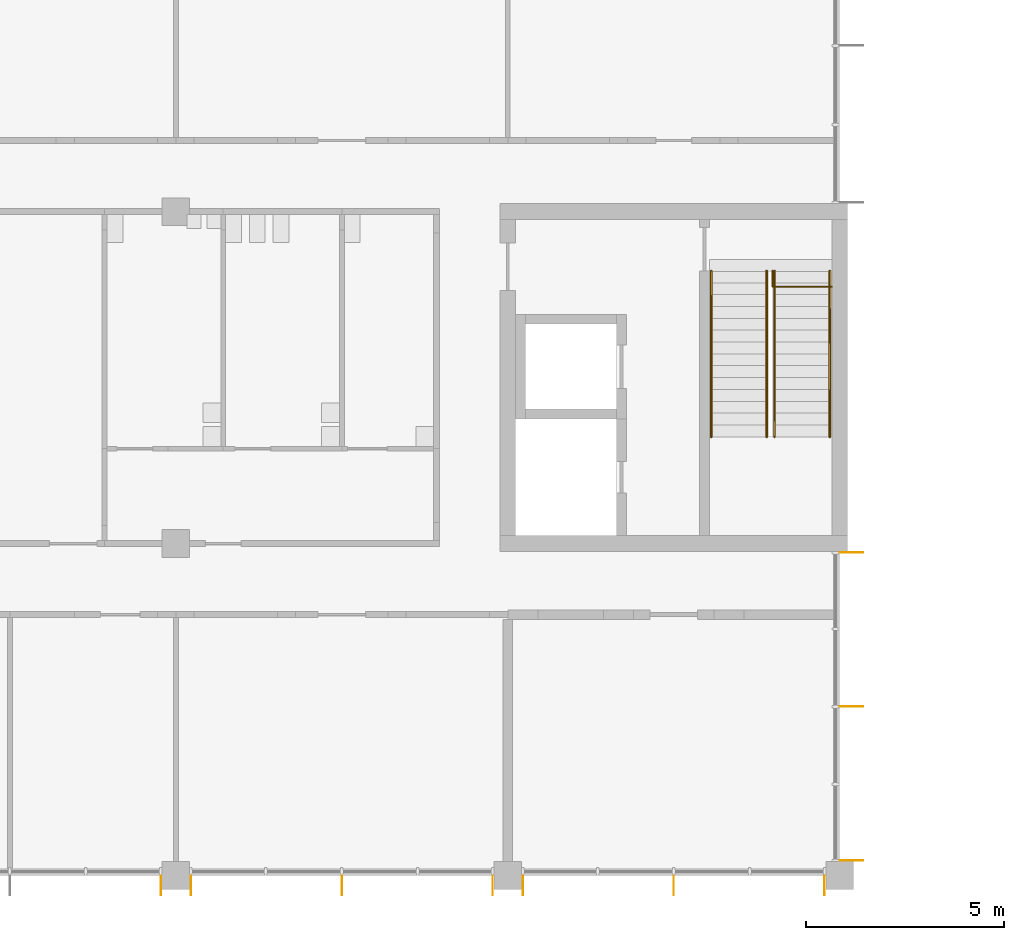
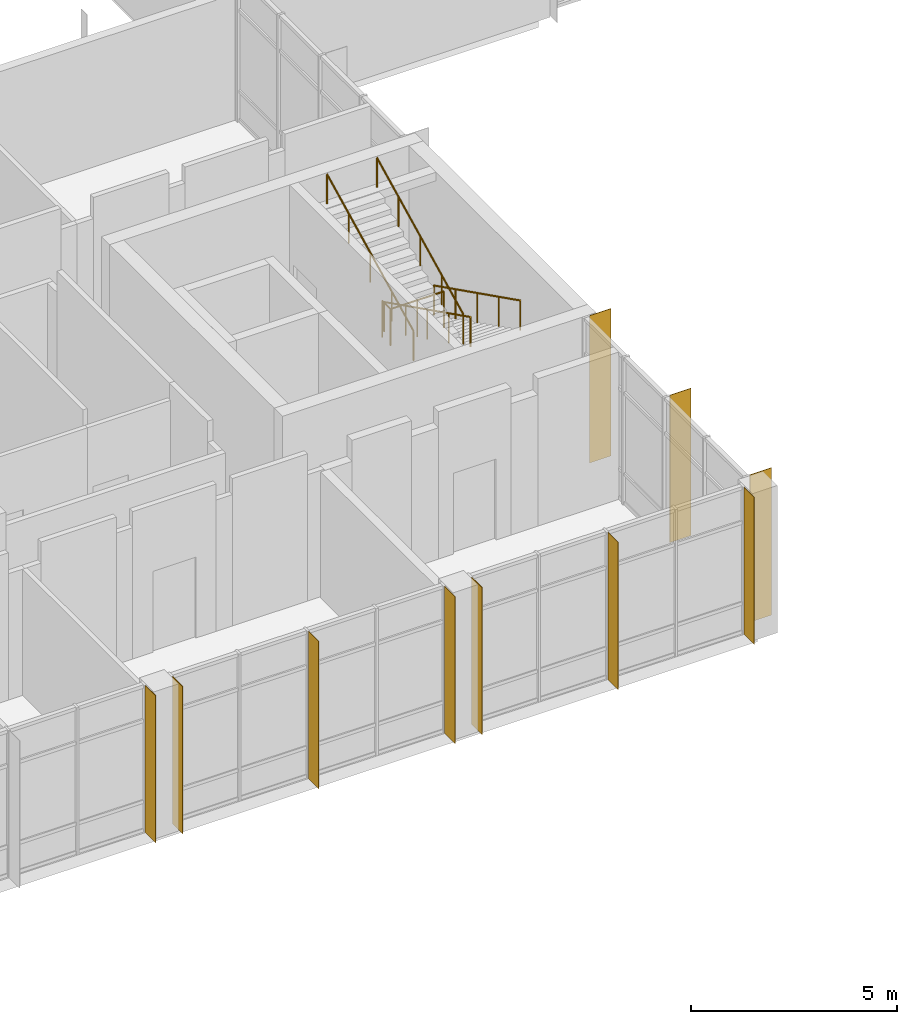
# One storey, part 57 of 70: 10 shading devices, 5 railings.
"""IFC4 building model written with IfcOpenShell, lengths in metres."""

from ifc_helpers import new_model, si_unit, direction, frame, origin, origin_2d, place, context, subcontext, project, spatial, rectangle, circle, extrude, material, layer, layer_set, type_object, element, save


model = new_model("IFC4")

# Units and contexts
model_context = context("Model", 3, precision=1e-05, world=origin(), true_north=direction((0.0, 1.0)))
body_context = subcontext(model_context, "Body", "Model", "MODEL_VIEW")
ifc_project = project(units=[si_unit("LENGTHUNIT", "METRE"), si_unit("AREAUNIT", "SQUARE_METRE"), si_unit("VOLUMEUNIT", "CUBIC_METRE"), si_unit("PLANEANGLEUNIT", "RADIAN"), si_unit("MASSUNIT", "GRAM", prefix="KILO")], contexts=[model_context])

# Site, building, storey
site_placement = place(None, origin())
site = spatial("IfcSite", under=ifc_project, at=site_placement, CompositionType="ELEMENT")
building_placement = place(site_placement, origin())
building = spatial("IfcBuilding", under=site, at=building_placement, Name="Hlaing Beacon Police Headquarters", CompositionType="ELEMENT")
storey_placement = place(building_placement, frame((0.0, 0.0, 5.39990234375)))
storey = spatial("IfcBuildingStorey", under=building, at=storey_placement, Name="L01", CompositionType="ELEMENT", Elevation=5.39990234375)

# Shading devices
ifc_material_1 = material(Name="Aluminium 6063-T5 anodised", Category="aluminium")
ifc_layer_1 = layer(ifc_material_1, 0.011962890625)
ifc_layer_set_1 = layer_set([ifc_layer_1], Name="Aluminium 6063-T5 anodised")
shading_device_type_1 = type_object("IfcShadingDeviceType", Name="Aluminium fin 12x500", PredefinedType="JALOUSIE", material=ifc_layer_set_1)
for number, where, z_axis, x_axis, name in (
    (1, (41.6201171875, 8.14990234375, 0.0), (0.0, 0.0, 1.0), (1.0, 0.0, 0.0), "Fin L01 S014.4"),
    (2, (42.3798828125, 8.14990234375, 0.0), (0.0, 0.0, 1.0), (1.0, 0.0, 0.0), "Fin L01 S015.0"),
    (3, (46.199951171875, 8.14990234375, 0.0), (0.0, 0.0, 1.0), (1.0, 0.0, 0.0), "Fin L01 S015.2"),
    (4, (50.02001953125, 8.14990234375, 0.0), (0.0, 0.0, 1.0), (1.0, 0.0, 0.0), "Fin L01 S015.4"),
    (5, (50.780029296875, 8.14990234375, 0.0), (0.0, 0.0, 1.0), (1.0, 0.0, 0.0), "Fin L01 S016.0"),
    (6, (54.60009765625, 8.14990234375, 0.0), (0.0, 0.0, 1.0), (1.0, 0.0, 0.0), "Fin L01 S016.2"),
    (7, (58.419921875, 8.14990234375, 0.0), (0.0, 0.0, 1.0), (1.0, 0.0, 0.0), "Fin L01 S016.4"),
):
    element("IfcShadingDevice", number, at=place(storey_placement, frame(where, z_axis=z_axis, x_axis=x_axis)), inside=storey, type_object=shading_device_type_1, Name=name, PredefinedType="JALOUSIE", context=body_context, shape_type="SweptSolid", body=[
        extrude(rectangle(XDim=0.011962890625, YDim=0.5, at=origin_2d()), origin(), (0.0, 0.0, 1.0), 4.3701171875),
    ])
ifc_material_2 = material(Name="Aluminium 6063-T5 anodised", Category="aluminium")
ifc_layer_2 = layer(ifc_material_2, 0.011962890625)
ifc_layer_set_2 = layer_set([ifc_layer_2], Name="Aluminium 6063-T5 anodised")
shading_device_type_2 = type_object("IfcShadingDeviceType", Name="Aluminium fin 12x600", PredefinedType="JALOUSIE", material=ifc_layer_set_2)
for number, where, z_axis, x_axis, name in (
    (8, (59.10009765625, 8.780029296875, 0.0), (0.0, 0.0, 1.0), (0.0, 1.0, 0.0), "Fin L01 E017.0"),
    (9, (59.10009765625, 12.675048828125, 0.0), (0.0, 0.0, 1.0), (0.0, 1.0, 0.0), "Fin L01 E017.2"),
    (10, (59.10009765625, 16.570068359375, 0.0), (0.0, 0.0, 1.0), (0.0, 1.0, 0.0), "Fin L01 E017.4"),
):
    element("IfcShadingDevice", number, at=place(storey_placement, frame(where, z_axis=z_axis, x_axis=x_axis)), inside=storey, type_object=shading_device_type_2, Name=name, PredefinedType="JALOUSIE", context=body_context, shape_type="SweptSolid", body=[
        extrude(rectangle(XDim=0.011962890625, YDim=0.60009765625, at=origin_2d()), origin(), (0.0, 0.0, 1.0), 4.3701171875),
    ])

# Railings
ifc_material_3 = material(Name="Stainless steel", Category="steel")
railing_type_1 = type_object("IfcRailingType", Name="Stair guard 1100", PredefinedType="GUARDRAIL", material=ifc_material_3)
railing_placement = place(storey_placement, frame((58.60009765625, 23.300048828125, 0.0)))
element("IfcRailing", 11, at=railing_placement, inside=storey, type_object=railing_type_1, Name="Guard ST-K", PredefinedType="GUARDRAIL", context=body_context, shape_type="SweptSolid", body=[
    extrude(circle(Radius=0.02392578125, at=origin_2d()), frame((0.0, 0.0, 1.076171875), z_axis=(-1.0, 0.0, 0.0), x_axis=(0.0, -1.0, 0.0)), (0.0, 0.0, 1.0), 1.5),
    extrude(circle(Radius=0.02392578125, at=origin_2d()), frame((-1.5, 0.0, 1.076171875), z_axis=(0.0, 1.0, 0.0), x_axis=(-1.0, 0.0, 0.0)), (0.0, 0.0, 1.0), 0.39990234375),
    extrude(circle(Radius=0.02099609375, at=origin_2d()), origin(), (0.0, 0.0, 1.0), 1.052001953125),
    extrude(circle(Radius=0.02099609375, at=origin_2d()), frame((-0.75, 0.0, 0.0)), (0.0, 0.0, 1.0), 1.052001953125),
    extrude(circle(Radius=0.02099609375, at=origin_2d()), frame((-1.5, 0.0, 0.0)), (0.0, 0.0, 1.0), 1.052001953125),
    extrude(circle(Radius=0.02099609375, at=origin_2d()), frame((-1.5, 0.39990234375, 0.0)), (0.0, 0.0, 1.0), 1.052001953125),
])
ifc_material_4 = material(Name="Stainless steel", Category="steel")
railing_type_2 = type_object("IfcRailingType", Name="Stair handrail 900", PredefinedType="HANDRAIL", material=ifc_material_4)
for number, where, name in (
    (12, (58.550048828125, 23.699951171875, 0.150146484375), "Handrail ST-K"),
    (13, (57.14990234375, 23.699951171875, 0.150146484375), "Handrail ST-K"),
):
    element("IfcRailing", number, at=place(storey_placement, frame(where)), inside=storey, type_object=railing_type_2, Name=name, PredefinedType="HANDRAIL", context=body_context, shape_type="SweptSolid", body=[
        extrude(circle(Radius=0.02392578125, at=origin_2d()), frame((0.0, 0.0, 0.8759765625), z_axis=(0.0, -0.894437589381, 0.447192798132), x_axis=(1.0, 0.0, 0.0)), (0.0, 0.0, 1.0), 4.695556640625),
        extrude(circle(Radius=0.02099609375, at=origin_2d()), origin(), (0.0, 0.0, 1.0), 0.851806640625),
        extrude(circle(Radius=0.02099609375, at=origin_2d()), frame((0.0, -1.050048828125, 0.52490234375)), (0.0, 0.0, 1.0), 0.851806640625),
        extrude(circle(Radius=0.02099609375, at=origin_2d()), frame((0.0, -2.10009765625, 1.0498046875)), (0.0, 0.0, 1.0), 0.851806640625),
        extrude(circle(Radius=0.02099609375, at=origin_2d()), frame((0.0, -3.14990234375, 1.574951171875)), (0.0, 0.0, 1.0), 0.851806640625),
        extrude(circle(Radius=0.02099609375, at=origin_2d()), frame((0.0, -4.199951171875, 2.099853515625)), (0.0, 0.0, 1.0), 0.851806640625),
    ])
for number, where, name in (
    (14, (56.949951171875, 19.5, 2.400146484375), "Handrail ST-K"),
    (15, (55.550048828125, 19.5, 2.400146484375), "Handrail ST-K"),
):
    element("IfcRailing", number, at=place(storey_placement, frame(where)), inside=storey, type_object=railing_type_2, Name=name, PredefinedType="HANDRAIL", context=body_context, shape_type="SweptSolid", body=[
        extrude(circle(Radius=0.02392578125, at=origin_2d()), frame((0.0, 0.0, 0.8759765625), z_axis=(0.0, 0.894437589381, 0.447192798132), x_axis=(-1.0, 0.0, 0.0)), (0.0, 0.0, 1.0), 4.695556640625),
        extrude(circle(Radius=0.02099609375, at=origin_2d()), origin(), (0.0, 0.0, 1.0), 0.851806640625),
        extrude(circle(Radius=0.02099609375, at=origin_2d()), frame((0.0, 1.050048828125, 0.52490234375)), (0.0, 0.0, 1.0), 0.851806640625),
        extrude(circle(Radius=0.02099609375, at=origin_2d()), frame((0.0, 2.10009765625, 1.0498046875)), (0.0, 0.0, 1.0), 0.851806640625),
        extrude(circle(Radius=0.02099609375, at=origin_2d()), frame((0.0, 3.14990234375, 1.574951171875)), (0.0, 0.0, 1.0), 0.851806640625),
        extrude(circle(Radius=0.02099609375, at=origin_2d()), frame((0.0, 4.199951171875, 2.099853515625)), (0.0, 0.0, 1.0), 0.851806640625),
    ])

save(model, "model.ifc")
